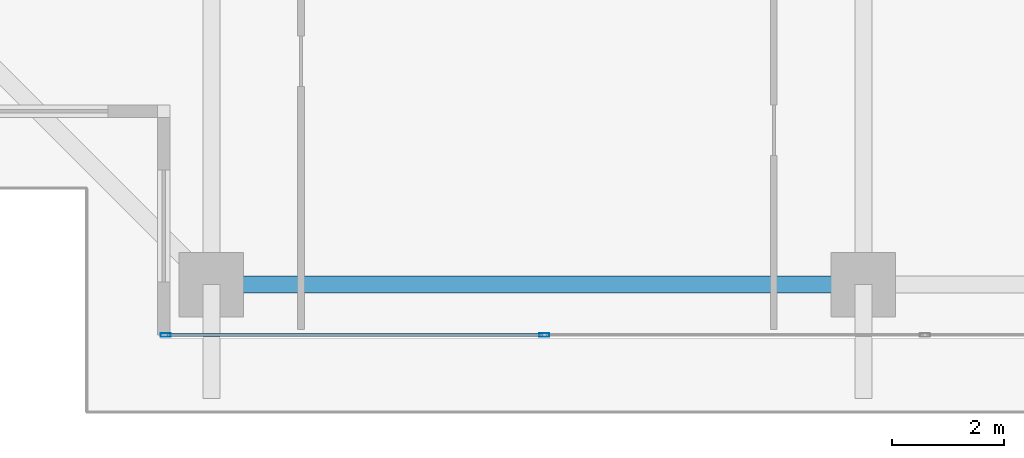
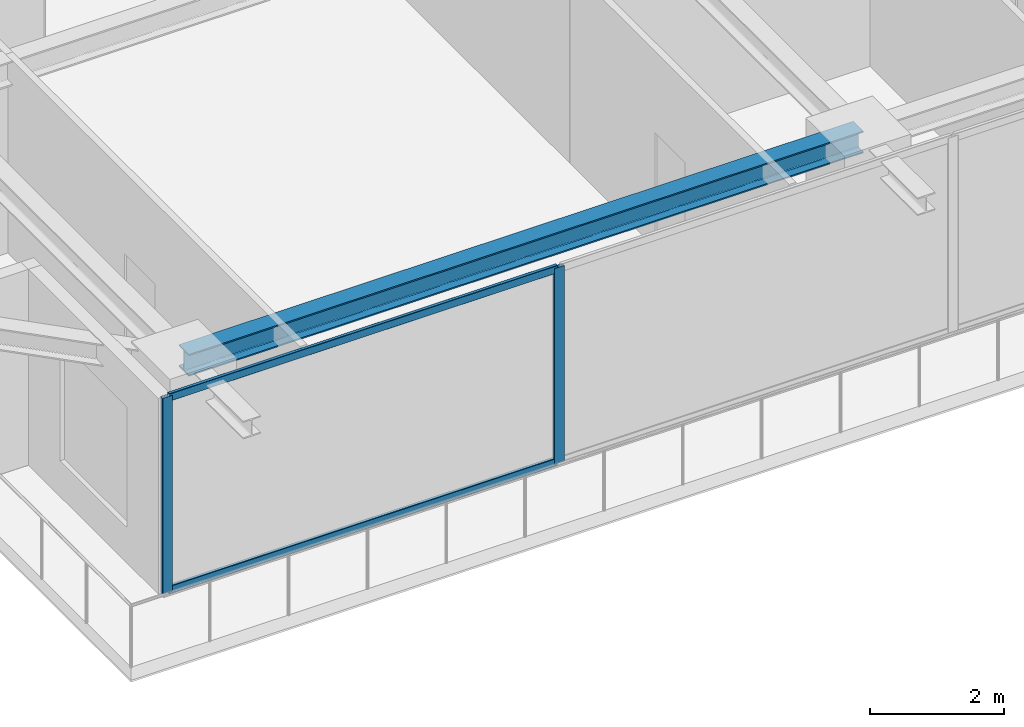
# One storey, part 2 of 38: 4 members, 1 beam, 1 element without a shape of its own.
"""IFC4 building model written with IfcOpenShell, lengths in metres."""

import ifcopenshell
import ifcopenshell.guid

model = None  # the IFC model being written
_history = None  # IfcOwnerHistory: only IFC2X3 demands one
_inside = {}  # id of a spatial element -> (the spatial element, [elements in it])
_under = {}  # id of a project, library or spatial element -> (it, [spatial elements below it])
_declared = {}  # id of a project -> (the project, [libraries it declares])
_typed = {}  # id of a type object -> (the type object, [elements of that type])
_made_of = {}  # id of a material, layer set ... -> (it, [elements and type objects made of it])


def new_model(schema):
    """Start an empty IFC model of exactly this schema.

    Asked for "IFC4X3", IfcOpenShell would pick the latest addendum, in which some entities
    have other attributes; the version numbers below select the first issue.
    IFC2X3 requires an IfcOwnerHistory on every rooted entity: one is made here for all.
    """
    global model, _history
    if schema == "IFC4X3":
        model = ifcopenshell.file(schema_version=(4, 3, 0, 0))
    else:
        model = ifcopenshell.file(schema=schema)
    _inside.clear()
    _under.clear()
    _declared.clear()
    _typed.clear()
    _made_of.clear()
    _history = None
    if model.schema == "IFC2X3":
        org = make("IfcOrganization", Name="unknown")
        user = make(
            "IfcPersonAndOrganization",
            ThePerson=make("IfcPerson", FamilyName="unknown"),
            TheOrganization=org,
        )
        app = make(
            "IfcApplication",
            ApplicationDeveloper=org,
            Version="unknown",
            ApplicationFullName="unknown",
            ApplicationIdentifier="unknown",
        )
        _history = make(
            "IfcOwnerHistory",
            OwningUser=user,
            OwningApplication=app,
            ChangeAction="ADDED",
            CreationDate=0,
        )
    return model


def make(cls, **values):
    """One entity of the class cls with the attributes given. An attribute that is None is left unset."""
    return model.create_entity(
        cls, **{name: value for name, value in values.items() if value is not None}
    )


def rooted(cls, **values):
    """An entity with a GlobalId (a new one), such as an element, a storey or a relation."""
    return make(cls, GlobalId=ifcopenshell.guid.new(), OwnerHistory=_history, **values)


def si_unit(unit_type, name, prefix=None):
    """IfcSIUnit, for example si_unit("LENGTHUNIT", "METRE", prefix="MILLI")."""
    return make("IfcSIUnit", UnitType=unit_type, Prefix=prefix, Name=name)


def assignment(units):
    """IfcUnitAssignment: the units of a project."""
    return None if units is None else make("IfcUnitAssignment", Units=units)


def point(xyz):
    """IfcCartesianPoint."""
    return None if xyz is None else make("IfcCartesianPoint", Coordinates=xyz)


def direction(xyz):
    """IfcDirection."""
    return None if xyz is None else make("IfcDirection", DirectionRatios=xyz)


def frame(location, z_axis=None, x_axis=None):
    """IfcAxis2Placement3D, a coordinate frame: its origin and axes. An axis left out is left unset."""
    return make(
        "IfcAxis2Placement3D",
        Location=point(location),
        Axis=direction(z_axis),
        RefDirection=direction(x_axis),
    )


def frame_2d(location, x_axis=None):
    """IfcAxis2Placement2D, a coordinate frame in the plane: its origin and x axis."""
    return make(
        "IfcAxis2Placement2D", Location=point(location), RefDirection=direction(x_axis)
    )


def origin():
    """The frame at (0, 0, 0) with its axes left unset."""
    return frame((0.0, 0.0, 0.0))


def origin_2d():
    """The frame at (0, 0) in the plane with its x axis left unset."""
    return frame_2d((0.0, 0.0))


def place(relative_to, where):
    """IfcLocalPlacement: puts the frame where relative to a parent placement (None: the world)."""
    return make(
        "IfcLocalPlacement", PlacementRelTo=relative_to, RelativePlacement=where
    )


def context(
    kind, dimensions, precision=None, world=None, true_north=None, identifier=None
):
    """IfcGeometricRepresentationContext, for example the 3D "Model" context."""
    return make(
        "IfcGeometricRepresentationContext",
        ContextIdentifier=identifier,
        ContextType=kind,
        CoordinateSpaceDimension=dimensions,
        Precision=precision,
        WorldCoordinateSystem=world,
        TrueNorth=true_north,
    )


def subcontext(parent, identifier, kind, view, scale=None):
    """IfcGeometricRepresentationSubContext, for example "Body" below "Model"."""
    return make(
        "IfcGeometricRepresentationSubContext",
        ContextIdentifier=identifier,
        ContextType=kind,
        ParentContext=parent,
        TargetScale=scale,
        TargetView=view,
    )


def project(units=None, contexts=None):
    """IfcProject with its units and contexts."""
    return rooted(
        "IfcProject",
        Name="project",
        RepresentationContexts=contexts,
        UnitsInContext=assignment(units),
    )


def spatial(cls, under=None, at=None, **own):
    """A site, building, storey or space (cls), placed at a placement, below another one or the project."""
    s = rooted(cls, ObjectPlacement=at, **own)
    if under is not None:
        _under.setdefault(under.id(), (under, []))[1].append(s)
    return s


def profile(cls, at=None, kind="AREA", **sizes):
    """A parametric profile (cls). Its sizes go by their IFC names, for example OverallWidth=200.0."""
    return make(cls, ProfileType=kind, Position=at, **sizes)


def hollow_rectangle(**sizes):
    """IfcRectangleHollowProfileDef."""
    return profile("IfcRectangleHollowProfileDef", **sizes)


def i_section(**sizes):
    """IfcIShapeProfileDef."""
    return profile("IfcIShapeProfileDef", **sizes)


def extrude(swept, where, along, depth):
    """IfcExtrudedAreaSolid: the profile swept, set in the frame where, extruded along a direction by depth."""
    return make(
        "IfcExtrudedAreaSolid",
        SweptArea=swept,
        Position=where,
        ExtrudedDirection=direction(along),
        Depth=depth,
    )


def shape(context_of_items, identifier, shape_type, items):
    """IfcShapeRepresentation: the items that make up one representation, for example the "Body"."""
    return make(
        "IfcShapeRepresentation",
        ContextOfItems=context_of_items,
        RepresentationIdentifier=identifier,
        RepresentationType=shape_type,
        Items=items,
    )


def source(mapping_origin, context_of_items, identifier, shape_type, items):
    """IfcRepresentationMap: a shape defined once, which mapped items show again and again."""
    return make(
        "IfcRepresentationMap",
        MappingOrigin=mapping_origin,
        MappedRepresentation=shape(context_of_items, identifier, shape_type, items),
    )


def transform(
    local_origin,
    x_axis=None,
    y_axis=None,
    z_axis=None,
    scale=None,
    scale2=None,
    scale3=None,
    uniform=True,
):
    """IfcCartesianTransformationOperator3D, or its non-uniform kind. x_axis, y_axis, z_axis: its Axis1, 2, 3."""
    if uniform:
        return make(
            "IfcCartesianTransformationOperator3D",
            Axis1=direction(x_axis),
            Axis2=direction(y_axis),
            LocalOrigin=point(local_origin),
            Scale=scale,
            Axis3=direction(z_axis),
        )
    return make(
        "IfcCartesianTransformationOperator3DnonUniform",
        Axis1=direction(x_axis),
        Axis2=direction(y_axis),
        LocalOrigin=point(local_origin),
        Scale=scale,
        Axis3=direction(z_axis),
        Scale2=scale2,
        Scale3=scale3,
    )


def mapped(mapping_source, mapping_target):
    """IfcMappedItem: shows the shape of a source again, moved by a transform."""
    return make(
        "IfcMappedItem", MappingSource=mapping_source, MappingTarget=mapping_target
    )


def material(Name=None, Category=None):
    """IfcMaterial."""
    return make("IfcMaterial", Name=Name, Category=Category)


def layer(
    of_material, thickness, ventilated=None, Name=None, Category=None, Priority=None
):
    """IfcMaterialLayer: one layer of a wall or slab, of a material (None: an air gap)."""
    return make(
        "IfcMaterialLayer",
        Material=of_material,
        LayerThickness=thickness,
        IsVentilated=ventilated,
        Name=Name,
        Category=Category,
        Priority=Priority,
    )


def layer_set(layers, Name=None):
    """IfcMaterialLayerSet."""
    return make("IfcMaterialLayerSet", MaterialLayers=layers, LayerSetName=Name)


def material_profile(
    of_material, cross_section, Name=None, Category=None, Priority=None
):
    """IfcMaterialProfile: a cross section and its material."""
    return make(
        "IfcMaterialProfile",
        Name=Name,
        Material=of_material,
        Profile=cross_section,
        Priority=Priority,
        Category=Category,
    )


def profile_set(profiles, Name=None, composite=None):
    """IfcMaterialProfileSet."""
    return make(
        "IfcMaterialProfileSet",
        Name=Name,
        MaterialProfiles=profiles,
        CompositeProfile=composite,
    )


def made_of(thing, what):
    """Note that an element or type object is made of a material, layer set ...; save() writes the relation."""
    if what is not None:
        _made_of.setdefault(what.id(), (what, []))[1].append(thing)
    return thing


def type_object(cls, material=None, **own):
    """A type object (cls), such as IfcWallType, which elements share."""
    return made_of(rooted(cls, **own), material)


def element(
    cls,
    number,
    at=None,
    inside=None,
    cuts=None,
    type_object=None,
    material=None,
    context=None,
    identifier="Body",
    shape_type=None,
    held_by="IfcProductDefinitionShape",
    body=None,
    shapes=None,
    **own,
):
    """One element of the class cls, such as IfcWall. Its Tag is "e" and its number.

    at: its placement. inside: the storey or other place that contains it. cuts: it is an
    opening in that element (IfcRelVoidsElement). A single representation is given by context,
    identifier, shape_type and body (its items); several are given by shapes. held_by: the class
    of the entity that holds the representations. save() writes the other relations.
    """
    e = rooted(cls, Tag="e%d" % number, ObjectPlacement=at, **own)
    if body is not None:
        shapes = [shape(context, identifier, shape_type, body)]
    if shapes is not None:
        e.Representation = make(held_by, Representations=shapes)
    if inside is not None:
        _inside.setdefault(inside.id(), (inside, []))[1].append(e)
    if cuts is not None:
        rooted(
            "IfcRelVoidsElement", RelatingBuildingElement=cuts, RelatedOpeningElement=e
        )
    if type_object is not None:
        _typed.setdefault(type_object.id(), (type_object, []))[1].append(e)
    return made_of(e, material)


def aggregate(whole, parts):
    """IfcRelAggregates: a whole, such as a stair, and the parts it consists of."""
    return rooted("IfcRelAggregates", RelatingObject=whole, RelatedObjects=parts)


def save(model, path):
    """Write the relations noted so far, then the file.

    IfcRelAggregates (storeys below a building ...), IfcRelContainedInSpatialStructure (elements
    in a storey), IfcRelDefinesByType, IfcRelAssociatesMaterial and IfcRelDeclares: one each for
    every whole, place, type object, material and project.
    """
    for whole, parts in _under.values():
        aggregate(whole, parts)
    for where, things in _inside.values():
        rooted(
            "IfcRelContainedInSpatialStructure",
            RelatedElements=things,
            RelatingStructure=where,
        )
    for kind, things in _typed.values():
        rooted("IfcRelDefinesByType", RelatedObjects=things, RelatingType=kind)
    for what, things in _made_of.values():
        rooted("IfcRelAssociatesMaterial", RelatedObjects=things, RelatingMaterial=what)
    for by, libraries in _declared.values():
        rooted("IfcRelDeclares", RelatingContext=by, RelatedDefinitions=libraries)
    model.write(path)


model = new_model("IFC4")

# Units and contexts
model_context = context("Model", 3, precision=1e-05, world=origin(), true_north=direction((0.0, 1.0)))
body_context = subcontext(model_context, "Body", "Model", "MODEL_VIEW")
ifc_project = project(units=[si_unit("LENGTHUNIT", "METRE"), si_unit("AREAUNIT", "SQUARE_METRE"), si_unit("VOLUMEUNIT", "CUBIC_METRE"), si_unit("PLANEANGLEUNIT", "RADIAN"), si_unit("MASSUNIT", "GRAM", prefix="KILO")], contexts=[model_context])

# Site, building, storey
site_placement = place(None, origin())
site = spatial("IfcSite", under=ifc_project, at=site_placement, CompositionType="ELEMENT")
building_placement = place(site_placement, origin())
building = spatial("IfcBuilding", under=site, at=building_placement, Name="Serunith Strait Residences", CompositionType="ELEMENT")
storey_placement = place(building_placement, frame((0.0, 0.0, 264.35009765625)))
storey = spatial("IfcBuildingStorey", under=building, at=storey_placement, Name="L66", CompositionType="ELEMENT", Elevation=264.35009765625)

# Beam
ifc_material_1 = material(Name="Steel S355J2", Category="steel")
ifc_material_profile_1 = material_profile(ifc_material_1, i_section(OverallWidth=0.300048828125, OverallDepth=0.39990234375, WebThickness=0.013427734375, FlangeThickness=0.02392578125, FilletRadius=0.027099609375, at=origin_2d()), Name="HEB 400")
ifc_profile_set_1 = profile_set([ifc_material_profile_1], Name="Steel S355J2")
beam_type = type_object("IfcBeamType", Name="BM-HEB400", PredefinedType="BEAM", material=ifc_profile_set_1)
shared_shape_1 = source(origin(), body_context, "Body", "SweptSolid", [
    extrude(i_section(OverallWidth=0.300048828125, OverallDepth=0.39990234375, WebThickness=0.013427734375, FlangeThickness=0.02392578125, FilletRadius=0.027099609375, at=origin_2d()), origin(), (0.0, 0.0, 1.0), 11.64990234375),
])
beam_placement = place(storey_placement, frame((16.25, 2.10009765625, 3.386962890625), z_axis=(1.0, 0.0, 0.0), x_axis=(0.0, 1.0, 0.0)))
element("IfcBeam", 1, at=beam_placement, inside=storey, type_object=beam_type, Name="L66 Perimeter Ring Beam 01", PredefinedType="BEAM", context=body_context, shape_type="MappedRepresentation", body=[
    mapped(shared_shape_1, transform((0.0, 0.0, 0.0), scale=1.0)),
])

# Curtain wall, members
ifc_material_2 = material(Name="Pale-Champagne Anodised Aluminium", Category="aluminium")
ifc_layer = layer(ifc_material_2, 0.199951171875, Name="Pale-Champagne Anodised Aluminium")
ifc_layer_set = layer_set([ifc_layer], Name="Pale-Champagne Anodised Aluminium")
curtain_wall_type = type_object("IfcCurtainWallType", Name="CW-SYS4", PredefinedType="NOTDEFINED", material=ifc_layer_set)
curtain_wall_placement = place(storey_placement, origin())
curtain_wall = element("IfcCurtainWall", 2, at=curtain_wall_placement, inside=storey, type_object=curtain_wall_type, Name="L66 S Unitised Fritted Curtain Wall", PredefinedType="NOTDEFINED")
ifc_material_profile_2 = material_profile(ifc_material_2, hollow_rectangle(XDim=0.06494140625, YDim=0.179931640625, WallThickness=0.00341796875, InnerFilletRadius=0.00537109375, OuterFilletRadius=0.0087890625, at=origin_2d()), Name="ALU 180x65x3.5")
ifc_profile_set_2 = profile_set([ifc_material_profile_2], Name="Pale-Champagne Anodised Aluminium")
member_type_1 = type_object("IfcMemberType", Name="CW-SYS4-MULL", PredefinedType="MULLION", material=ifc_profile_set_2)
shared_shape_2 = source(origin(), body_context, "Body", "SweptSolid", [
    extrude(hollow_rectangle(XDim=0.06494140625, YDim=0.179931640625, WallThickness=0.00341796875, InnerFilletRadius=0.00537109375, OuterFilletRadius=0.0087890625, at=origin_2d()), origin(), (0.0, 0.0, 1.0), 3.574951171875),
])
member_1_placement = place(storey_placement, frame((15.4326171875, 1.199951171875, 0.0), z_axis=(0.0, 0.0, 1.0), x_axis=(0.0, 1.0, 0.0)))
member_1 = element("IfcMember", 3, at=member_1_placement, type_object=member_type_1, Name="CW-4 mullion 1", PredefinedType="MULLION", context=body_context, shape_type="MappedRepresentation", body=[
    mapped(shared_shape_2, transform((0.0, 0.0, 0.0), scale=1.0)),
])
member_2_placement = place(storey_placement, frame((22.199951171875, 1.199951171875, 0.0), z_axis=(0.0, 0.0, 1.0), x_axis=(0.0, 1.0, 0.0)))
member_2 = element("IfcMember", 4, at=member_2_placement, type_object=member_type_1, Name="CW-4 mullion 2", PredefinedType="MULLION", context=body_context, shape_type="MappedRepresentation", body=[
    mapped(shared_shape_2, transform((0.0, 0.0, 0.0), scale=1.0)),
])
ifc_material_profile_3 = material_profile(ifc_material_2, hollow_rectangle(XDim=0.06005859375, YDim=0.139892578125, WallThickness=0.00341796875, InnerFilletRadius=0.00537109375, OuterFilletRadius=0.0087890625, at=origin_2d()), Name="ALU 140x60x3.5")
ifc_profile_set_3 = profile_set([ifc_material_profile_3], Name="Pale-Champagne Anodised Aluminium")
member_type_2 = type_object("IfcMemberType", Name="CW-SYS4-TRAN", PredefinedType="USERDEFINED", material=ifc_profile_set_3)
shared_shape_3 = source(origin(), body_context, "Body", "SweptSolid", [
    extrude(hollow_rectangle(XDim=0.06005859375, YDim=0.139892578125, WallThickness=0.00341796875, InnerFilletRadius=0.00537109375, OuterFilletRadius=0.0087890625, at=origin_2d()), origin(), (0.0, 0.0, 1.0), 6.702392578125),
])
member_3_placement = place(storey_placement, frame((15.465087890625, 1.199951171875, 0.02978515625), z_axis=(1.0, 0.0, 0.0), x_axis=(0.0, 1.0, 0.0)))
member_3 = element("IfcMember", 5, at=member_3_placement, type_object=member_type_2, Name="CW-4 transom 1.1", ObjectType="TRANSOM", PredefinedType="USERDEFINED", context=body_context, shape_type="MappedRepresentation", body=[
    mapped(shared_shape_3, transform((0.0, 0.0, 0.0), scale=1.0)),
])
member_4_placement = place(storey_placement, frame((15.465087890625, 1.199951171875, 3.544921875), z_axis=(1.0, 0.0, 0.0), x_axis=(0.0, 1.0, 0.0)))
member_4 = element("IfcMember", 6, at=member_4_placement, type_object=member_type_2, Name="CW-4 transom 1.2", ObjectType="TRANSOM", PredefinedType="USERDEFINED", context=body_context, shape_type="MappedRepresentation", body=[
    mapped(shared_shape_3, transform((0.0, 0.0, 0.0), scale=1.0)),
])
aggregate(curtain_wall, [member_1, member_2, member_3, member_4])

save(model, "model.ifc")
